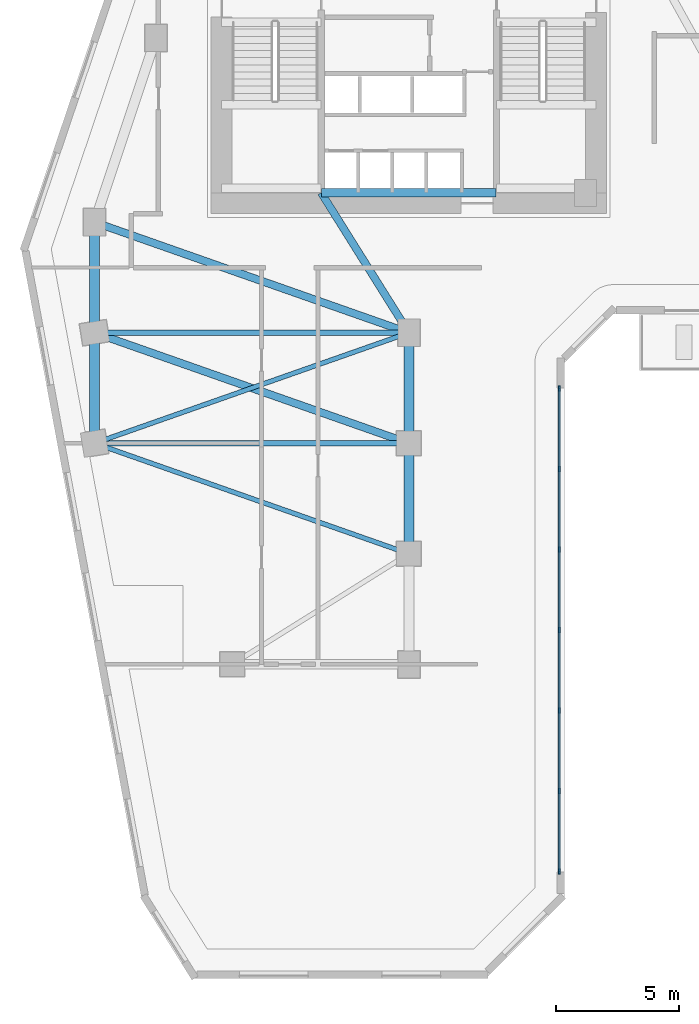
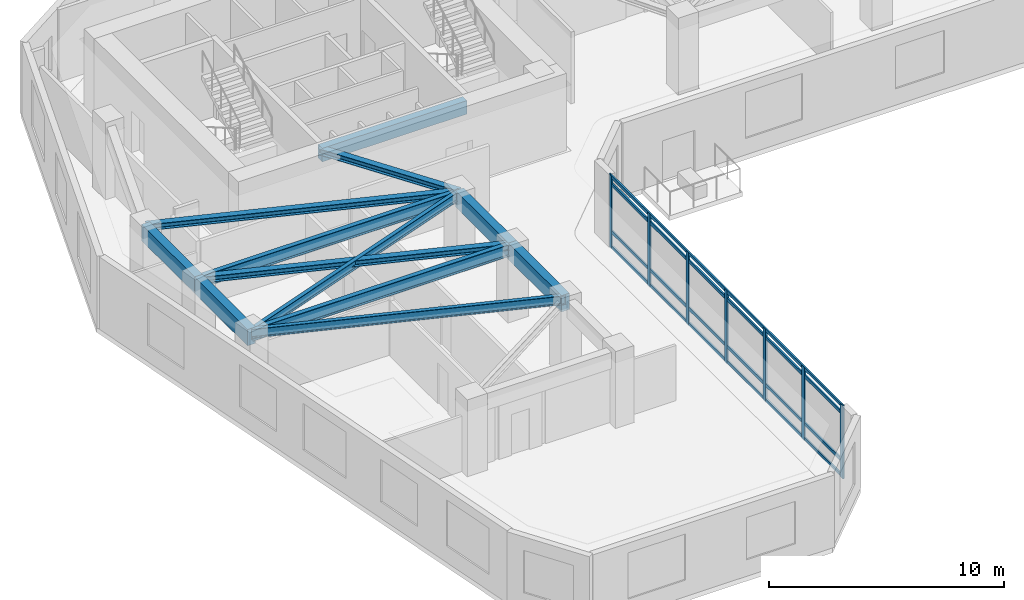
# One storey, part 2 of 11: 12 beams, 11 members, 1 element without a shape of its own.
"""IFC4 building model written with IfcOpenShell, lengths in metres."""

from ifc_helpers import new_model, si_unit, direction, frame, origin, origin_2d, place, context, subcontext, project, spatial, rectangle, i_section, extrude, source, transform, mapped, material, material_profile, profile_set, type_object, element, aggregate, save


model = new_model("IFC4")

# Units and contexts
model_context = context("Model", 3, precision=1e-05, world=origin(), true_north=direction((0.0, 1.0)))
body_context = subcontext(model_context, "Body", "Model", "MODEL_VIEW")
ifc_project = project(units=[si_unit("LENGTHUNIT", "METRE"), si_unit("AREAUNIT", "SQUARE_METRE"), si_unit("VOLUMEUNIT", "CUBIC_METRE"), si_unit("PLANEANGLEUNIT", "RADIAN"), si_unit("MASSUNIT", "GRAM", prefix="KILO")], contexts=[model_context])

# Site, building, storey
site_placement = place(None, origin())
site = spatial("IfcSite", under=ifc_project, at=site_placement, CompositionType="ELEMENT")
building_placement = place(site_placement, origin())
building = spatial("IfcBuilding", under=site, at=building_placement, Name="Calvemar Wedge Station Tower", CompositionType="ELEMENT")
storey_placement = place(building_placement, frame((0.0, 0.0, 43.0)))
storey = spatial("IfcBuildingStorey", under=building, at=storey_placement, Name="L10", CompositionType="ELEMENT", Elevation=43.0)

# Beams
ifc_material_1 = material(Name="Concrete C60", Category="concrete")
ifc_material_profile_1 = material_profile(ifc_material_1, rectangle(XDim=0.39990234375, YDim=0.85009765625, at=origin_2d()), Name="RC400x850")
ifc_profile_set_1 = profile_set([ifc_material_profile_1], Name="Concrete C60")
beam_type_1 = type_object("IfcBeamType", Name="BM-SP1-850", PredefinedType="SPANDREL", material=ifc_profile_set_1)
shared_shape_1 = source(origin(), body_context, "Body", "SweptSolid", [
    extrude(rectangle(XDim=0.39990234375, YDim=0.85009765625, at=origin_2d()), origin(), (0.0, 0.0, 1.0), 4.5),
])
for number, where, z_axis, x_axis, name in (
    (1, (11.0, 33.0, 3.324951171875), (0.0, -1.0, 0.0), (1.0, 0.0, 0.0), "Storey L10 Spandrel T-NW1-T-SW1"),
    (2, (11.0, 28.5, 3.324951171875), (0.0, -1.0, 0.0), (1.0, 0.0, 0.0), "Storey L10 Spandrel T-SW1-T-SW2"),
    (3, (23.800048828125, 28.5, 3.324951171875), (0.0, -1.0, 0.0), (1.0, 0.0, 0.0), "Storey L10 Spandrel T-SE1-T-SE2"),
    (4, (23.800048828125, 24.0, 3.324951171875), (0.0, -1.0, 0.0), (1.0, 0.0, 0.0), "Storey L10 Spandrel T-SE2-T-SE3"),
):
    element("IfcBeam", number, at=place(storey_placement, frame(where, z_axis=z_axis, x_axis=x_axis)), inside=storey, type_object=beam_type_1, Name=name, PredefinedType="SPANDREL", context=body_context, shape_type="MappedRepresentation", body=[
        mapped(shared_shape_1, transform((0.0, 0.0, 0.0), scale=1.0)),
    ])
ifc_material_2 = material(Name="Structural steel ASTM A572 Grade 50", Category="steel")
ifc_material_profile_2 = material_profile(ifc_material_2, i_section(OverallWidth=0.22998046875, OverallDepth=0.616943359375, WebThickness=0.01318359375, FlangeThickness=0.022216796875, FilletRadius=0.012939453125, at=origin_2d()), Name="W610x140")
ifc_profile_set_2 = profile_set([ifc_material_profile_2], Name="Structural steel ASTM A572 Grade 50")
beam_type_2 = type_object("IfcBeamType", Name="BM-SB2-W610", PredefinedType="BEAM", material=ifc_profile_set_2)
shared_shape_2 = source(origin(), body_context, "Body", "SweptSolid", [
    extrude(i_section(OverallWidth=0.22998046875, OverallDepth=0.616943359375, WebThickness=0.01318359375, FlangeThickness=0.022216796875, FilletRadius=0.012939453125, at=origin_2d()), origin(), (0.0, 0.0, 1.0), 12.800048828125),
])
for number, where, z_axis, x_axis, name in (
    (5, (11.0, 28.5, 3.44140625), (1.0, 0.0, 0.0), (0.0, 1.0, 0.0), "Storey L10 Floor Beam T-SW1-T-SE1"),
    (6, (11.0, 24.0, 3.44140625), (1.0, 0.0, 0.0), (0.0, 1.0, 0.0), "Storey L10 Floor Beam T-SW2-T-SE2"),
):
    element("IfcBeam", number, at=place(storey_placement, frame(where, z_axis=z_axis, x_axis=x_axis)), inside=storey, type_object=beam_type_2, Name=name, PredefinedType="BEAM", context=body_context, shape_type="MappedRepresentation", body=[
        mapped(shared_shape_2, transform((0.0, 0.0, 0.0), scale=1.0)),
    ])
ifc_material_3 = material(Name="Concrete C70", Category="concrete")
ifc_material_profile_3 = material_profile(ifc_material_3, rectangle(XDim=0.35009765625, YDim=0.699951171875, at=origin_2d()), Name="RC350x700")
ifc_profile_set_3 = profile_set([ifc_material_profile_3], Name="Concrete C70")
beam_type_3 = type_object("IfcBeamType", Name="BM-LN1-700", PredefinedType="LINTEL", material=ifc_profile_set_3)
shared_shape_3 = source(origin(), body_context, "Body", "SweptSolid", [
    extrude(rectangle(XDim=0.35009765625, YDim=0.699951171875, at=origin_2d()), origin(), (0.0, 0.0, 1.0), 7.10009765625),
])
beam_1_placement = place(storey_placement, frame((20.25, 34.199951171875, 3.39990234375), z_axis=(1.0, 0.0, 0.0), x_axis=(0.0, 1.0, 0.0)))
element("IfcBeam", 7, at=beam_1_placement, inside=storey, type_object=beam_type_3, Name="Storey L10 Core Coupling Lintel South", PredefinedType="LINTEL", context=body_context, shape_type="MappedRepresentation", body=[
    mapped(shared_shape_3, transform((0.0, 0.0, 0.0), scale=1.0)),
])
ifc_material_profile_4 = material_profile(ifc_material_2, i_section(OverallWidth=0.30908203125, OverallDepth=0.322998046875, WebThickness=0.013916015625, FlangeThickness=0.02294921875, FilletRadius=0.014892578125, at=origin_2d()), Name="W310x143")
ifc_profile_set_4 = profile_set([ifc_material_profile_4], Name="Structural steel ASTM A572 Grade 50")
beam_type_4 = type_object("IfcBeamType", Name="BM-J5-W310H", PredefinedType="JOIST", material=ifc_profile_set_4)
shared_shape_4 = source(origin(), body_context, "Body", "SweptSolid", [
    extrude(i_section(OverallWidth=0.30908203125, OverallDepth=0.322998046875, WebThickness=0.013916015625, FlangeThickness=0.02294921875, FilletRadius=0.014892578125, at=origin_2d()), origin(), (0.0, 0.0, 1.0), 13.568115234375),
])
for number, where, z_axis, x_axis, name in (
    (8, (11.0, 33.0, 3.58837890625), (0.943398221169, -0.331662171939, 0.0), (0.331662171939, 0.943398221169, 0.0), "Storey L10 Floor Beam T-NW1-T-SE1"),
    (9, (11.0, 28.5, 3.58837890625), (0.943398221169, -0.331662171939, 0.0), (0.331662171939, 0.943398221169, 0.0), "Storey L10 Floor Beam T-SW1-T-SE2"),
):
    element("IfcBeam", number, at=place(storey_placement, frame(where, z_axis=z_axis, x_axis=x_axis)), inside=storey, type_object=beam_type_4, Name=name, PredefinedType="JOIST", context=body_context, shape_type="MappedRepresentation", body=[
        mapped(shared_shape_4, transform((0.0, 0.0, 0.0), scale=1.0)),
    ])
ifc_material_profile_5 = material_profile(ifc_material_2, i_section(OverallWidth=0.19189453125, OverallDepth=0.462890625, WebThickness=0.010498046875, FlangeThickness=0.017578125, FilletRadius=0.012939453125, at=origin_2d()), Name="W460x89")
ifc_profile_set_5 = profile_set([ifc_material_profile_5], Name="Structural steel ASTM A572 Grade 50")
beam_type_5 = type_object("IfcBeamType", Name="BM-J1-W460", PredefinedType="JOIST", material=ifc_profile_set_5)
shared_shape_5 = source(origin(), body_context, "Body", "SweptSolid", [
    extrude(i_section(OverallWidth=0.19189453125, OverallDepth=0.462890625, WebThickness=0.010498046875, FlangeThickness=0.017578125, FilletRadius=0.012939453125, at=origin_2d()), origin(), (0.0, 0.0, 1.0), 13.568115234375),
])
for number, where, z_axis, x_axis, name in (
    (10, (23.800048828125, 28.5, 3.5185546875), (-0.943398221169, -0.331662171939, 0.0), (0.331662171939, -0.943398221169, 0.0), "Storey L10 Floor Beam T-SE1-T-SW2"),
    (11, (11.0, 24.0, 3.5185546875), (0.943398221169, -0.331662171939, 0.0), (0.331662171939, 0.943398221169, 0.0), "Storey L10 Floor Beam T-SW2-T-SE3"),
):
    element("IfcBeam", number, at=place(storey_placement, frame(where, z_axis=z_axis, x_axis=x_axis)), inside=storey, type_object=beam_type_5, Name=name, PredefinedType="JOIST", context=body_context, shape_type="MappedRepresentation", body=[
        mapped(shared_shape_5, transform((0.0, 0.0, 0.0), scale=1.0)),
    ])
shared_shape_6 = source(origin(), body_context, "Body", "SweptSolid", [
    extrude(i_section(OverallWidth=0.30908203125, OverallDepth=0.322998046875, WebThickness=0.013916015625, FlangeThickness=0.02294921875, FilletRadius=0.014892578125, at=origin_2d()), origin(), (0.0, 0.0, 1.0), 6.7255859375),
])
beam_2_placement = place(storey_placement, frame((20.22998046875, 34.199951171875, 3.58837890625), z_axis=(0.530811158438, -0.847490126242, 0.0), x_axis=(0.847490126242, 0.530811158438, 0.0)))
element("IfcBeam", 12, at=beam_2_placement, inside=storey, type_object=beam_type_4, Name="Storey L10 Core-to-Column Joist CJ-S2", PredefinedType="JOIST", context=body_context, shape_type="MappedRepresentation", body=[
    mapped(shared_shape_6, transform((0.0, 0.0, 0.0), scale=1.0)),
])

# Curtain wall, members
ifc_material_4 = material(Name="Anodised aluminium 6063-T6", Category="aluminium")
curtain_wall_type = type_object("IfcCurtainWallType", Name="CW1", PredefinedType="NOTDEFINED", material=ifc_material_4)
curtain_wall_placement = place(storey_placement, origin())
curtain_wall = element("IfcCurtainWall", 13, at=curtain_wall_placement, inside=storey, type_object=curtain_wall_type, Name="Storey L10 CW1 Recessed Unitised Curtain Wall 4", PredefinedType="NOTDEFINED")
ifc_material_profile_6 = material_profile(ifc_material_4, rectangle(XDim=0.080078125, YDim=0.219970703125, at=origin_2d()), Name="AL-MUL-80x220")
ifc_profile_set_6 = profile_set([ifc_material_profile_6], Name="Anodised aluminium 6063-T6")
member_type_1 = type_object("IfcMemberType", Name="CW1-MUL", PredefinedType="MULLION", material=ifc_profile_set_6)
shared_shape_7 = source(origin(), body_context, "Body", "SweptSolid", [
    extrude(rectangle(XDim=0.080078125, YDim=0.219970703125, at=origin_2d()), origin(), (0.0, 0.0, 1.0), 3.800048828125),
])
member_1_placement = place(storey_placement, frame((29.91796875, 6.56201171875, -0.050048828125), z_axis=(0.0, 0.0, 1.0), x_axis=(1.0, 0.0, 0.0)))
member_1 = element("IfcMember", 14, at=member_1_placement, type_object=member_type_1, Name="CW1 mullion 1", PredefinedType="MULLION", context=body_context, shape_type="MappedRepresentation", body=[
    mapped(shared_shape_7, transform((0.0, 0.0, 0.0), scale=1.0)),
])
member_2_placement = place(storey_placement, frame((29.91796875, 9.8388671875, -0.050048828125), z_axis=(0.0, 0.0, 1.0), x_axis=(1.0, 0.0, 0.0)))
member_2 = element("IfcMember", 15, at=member_2_placement, type_object=member_type_1, Name="CW1 mullion 2", PredefinedType="MULLION", context=body_context, shape_type="MappedRepresentation", body=[
    mapped(shared_shape_7, transform((0.0, 0.0, 0.0), scale=1.0)),
])
member_3_placement = place(storey_placement, frame((29.91796875, 13.115478515625, -0.050048828125), z_axis=(0.0, 0.0, 1.0), x_axis=(1.0, 0.0, 0.0)))
member_3 = element("IfcMember", 16, at=member_3_placement, type_object=member_type_1, Name="CW1 mullion 3", PredefinedType="MULLION", context=body_context, shape_type="MappedRepresentation", body=[
    mapped(shared_shape_7, transform((0.0, 0.0, 0.0), scale=1.0)),
])
member_4_placement = place(storey_placement, frame((29.91796875, 16.39208984375, -0.050048828125), z_axis=(0.0, 0.0, 1.0), x_axis=(1.0, 0.0, 0.0)))
member_4 = element("IfcMember", 17, at=member_4_placement, type_object=member_type_1, Name="CW1 mullion 4", PredefinedType="MULLION", context=body_context, shape_type="MappedRepresentation", body=[
    mapped(shared_shape_7, transform((0.0, 0.0, 0.0), scale=1.0)),
])
member_5_placement = place(storey_placement, frame((29.91796875, 19.668701171875, -0.050048828125), z_axis=(0.0, 0.0, 1.0), x_axis=(1.0, 0.0, 0.0)))
member_5 = element("IfcMember", 18, at=member_5_placement, type_object=member_type_1, Name="CW1 mullion 5", PredefinedType="MULLION", context=body_context, shape_type="MappedRepresentation", body=[
    mapped(shared_shape_7, transform((0.0, 0.0, 0.0), scale=1.0)),
])
member_6_placement = place(storey_placement, frame((29.91796875, 22.9453125, -0.050048828125), z_axis=(0.0, 0.0, 1.0), x_axis=(1.0, 0.0, 0.0)))
member_6 = element("IfcMember", 19, at=member_6_placement, type_object=member_type_1, Name="CW1 mullion 6", PredefinedType="MULLION", context=body_context, shape_type="MappedRepresentation", body=[
    mapped(shared_shape_7, transform((0.0, 0.0, 0.0), scale=1.0)),
])
member_7_placement = place(storey_placement, frame((29.91796875, 26.22216796875, -0.050048828125), z_axis=(0.0, 0.0, 1.0), x_axis=(1.0, 0.0, 0.0)))
member_7 = element("IfcMember", 20, at=member_7_placement, type_object=member_type_1, Name="CW1 mullion 7", PredefinedType="MULLION", context=body_context, shape_type="MappedRepresentation", body=[
    mapped(shared_shape_7, transform((0.0, 0.0, 0.0), scale=1.0)),
])
ifc_material_profile_7 = material_profile(ifc_material_4, rectangle(XDim=0.080078125, YDim=0.159912109375, at=origin_2d()), Name="AL-TRN-80x160")
ifc_profile_set_7 = profile_set([ifc_material_profile_7], Name="Anodised aluminium 6063-T6")
member_type_2 = type_object("IfcMemberType", Name="CW1-TRN", PredefinedType="USERDEFINED", material=ifc_profile_set_7)
shared_shape_8 = source(origin(), body_context, "Body", "SweptSolid", [
    extrude(rectangle(XDim=0.080078125, YDim=0.159912109375, at=origin_2d()), origin(), (0.0, 0.0, 1.0), 19.66015625),
])
member_8_placement = place(storey_placement, frame((29.91796875, 6.56201171875, 0.06005859375), z_axis=(0.0, 1.0, 0.0), x_axis=(-1.0, 0.0, 0.0)))
member_8 = element("IfcMember", 21, at=member_8_placement, type_object=member_type_2, Name="CW1 transom 1", ObjectType="TRANSOM", PredefinedType="USERDEFINED", context=body_context, shape_type="MappedRepresentation", body=[
    mapped(shared_shape_8, transform((0.0, 0.0, 0.0), scale=1.0)),
])
member_9_placement = place(storey_placement, frame((29.91796875, 6.56201171875, 0.85009765625), z_axis=(0.0, 1.0, 0.0), x_axis=(-1.0, 0.0, 0.0)))
member_9 = element("IfcMember", 22, at=member_9_placement, type_object=member_type_2, Name="CW1 transom 2", ObjectType="TRANSOM", PredefinedType="USERDEFINED", context=body_context, shape_type="MappedRepresentation", body=[
    mapped(shared_shape_8, transform((0.0, 0.0, 0.0), scale=1.0)),
])
member_10_placement = place(storey_placement, frame((29.91796875, 6.56201171875, 3.300048828125), z_axis=(0.0, 1.0, 0.0), x_axis=(-1.0, 0.0, 0.0)))
member_10 = element("IfcMember", 23, at=member_10_placement, type_object=member_type_2, Name="CW1 transom 3", ObjectType="TRANSOM", PredefinedType="USERDEFINED", context=body_context, shape_type="MappedRepresentation", body=[
    mapped(shared_shape_8, transform((0.0, 0.0, 0.0), scale=1.0)),
])
member_11_placement = place(storey_placement, frame((29.91796875, 6.56201171875, 3.68994140625), z_axis=(0.0, 1.0, 0.0), x_axis=(-1.0, 0.0, 0.0)))
member_11 = element("IfcMember", 24, at=member_11_placement, type_object=member_type_2, Name="CW1 transom 4", ObjectType="TRANSOM", PredefinedType="USERDEFINED", context=body_context, shape_type="MappedRepresentation", body=[
    mapped(shared_shape_8, transform((0.0, 0.0, 0.0), scale=1.0)),
])
aggregate(curtain_wall, [member_1, member_2, member_3, member_4, member_5, member_6, member_7, member_8, member_9, member_10, member_11])

save(model, "model.ifc")
